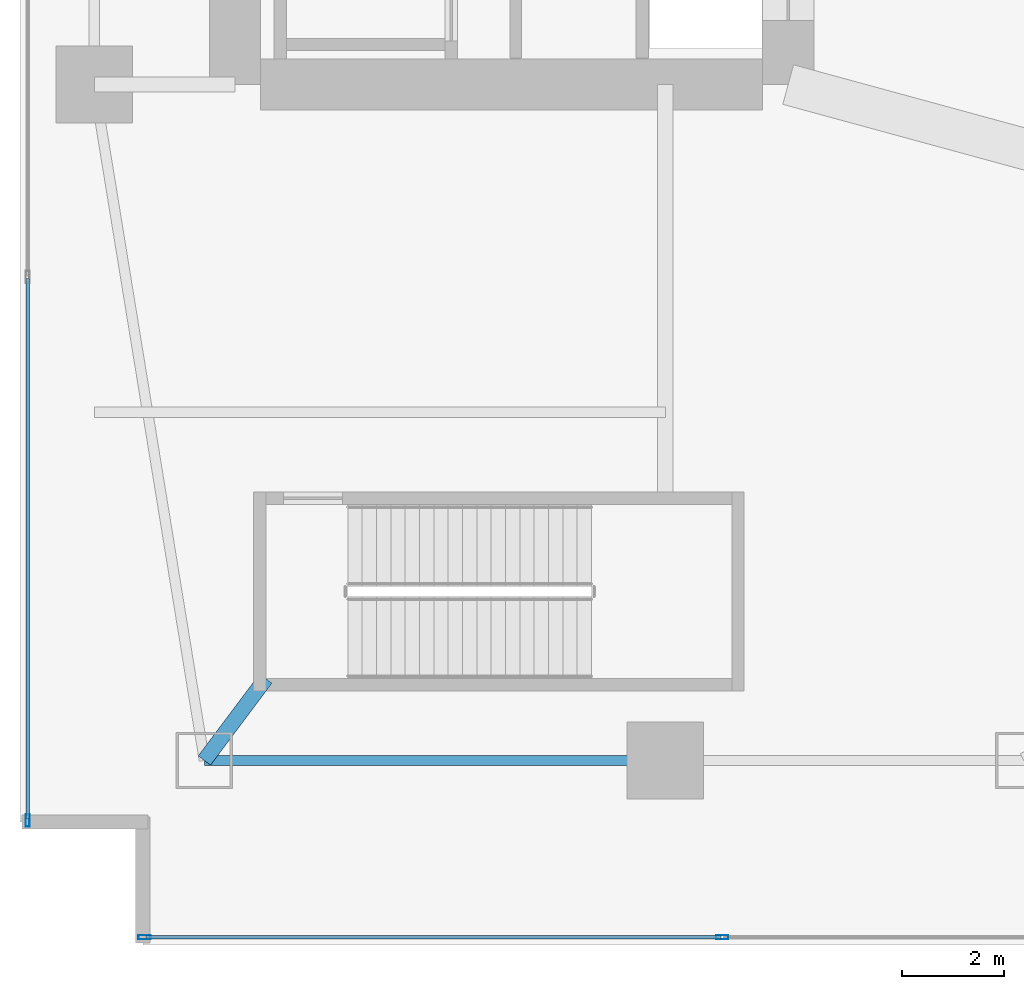
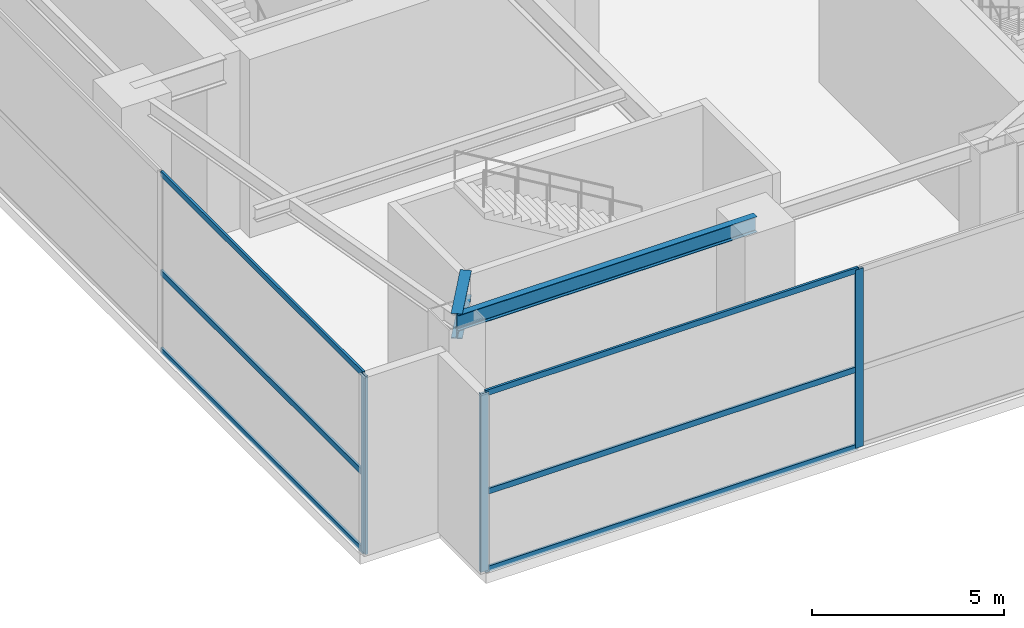
# One storey, part 4 of 35: 9 members, 2 beams, 2 elements without a shape of their own.
"""IFC4 building model written with IfcOpenShell, lengths in metres."""

import ifcopenshell
import ifcopenshell.guid

model = None  # the IFC model being written
_history = None  # IfcOwnerHistory: only IFC2X3 demands one
_inside = {}  # id of a spatial element -> (the spatial element, [elements in it])
_under = {}  # id of a project, library or spatial element -> (it, [spatial elements below it])
_declared = {}  # id of a project -> (the project, [libraries it declares])
_typed = {}  # id of a type object -> (the type object, [elements of that type])
_made_of = {}  # id of a material, layer set ... -> (it, [elements and type objects made of it])


def new_model(schema):
    """Start an empty IFC model of exactly this schema.

    Asked for "IFC4X3", IfcOpenShell would pick the latest addendum, in which some entities
    have other attributes; the version numbers below select the first issue.
    IFC2X3 requires an IfcOwnerHistory on every rooted entity: one is made here for all.
    """
    global model, _history
    if schema == "IFC4X3":
        model = ifcopenshell.file(schema_version=(4, 3, 0, 0))
    else:
        model = ifcopenshell.file(schema=schema)
    _inside.clear()
    _under.clear()
    _declared.clear()
    _typed.clear()
    _made_of.clear()
    _history = None
    if model.schema == "IFC2X3":
        org = make("IfcOrganization", Name="unknown")
        user = make(
            "IfcPersonAndOrganization",
            ThePerson=make("IfcPerson", FamilyName="unknown"),
            TheOrganization=org,
        )
        app = make(
            "IfcApplication",
            ApplicationDeveloper=org,
            Version="unknown",
            ApplicationFullName="unknown",
            ApplicationIdentifier="unknown",
        )
        _history = make(
            "IfcOwnerHistory",
            OwningUser=user,
            OwningApplication=app,
            ChangeAction="ADDED",
            CreationDate=0,
        )
    return model


def make(cls, **values):
    """One entity of the class cls with the attributes given. An attribute that is None is left unset."""
    return model.create_entity(
        cls, **{name: value for name, value in values.items() if value is not None}
    )


def rooted(cls, **values):
    """An entity with a GlobalId (a new one), such as an element, a storey or a relation."""
    return make(cls, GlobalId=ifcopenshell.guid.new(), OwnerHistory=_history, **values)


def si_unit(unit_type, name, prefix=None):
    """IfcSIUnit, for example si_unit("LENGTHUNIT", "METRE", prefix="MILLI")."""
    return make("IfcSIUnit", UnitType=unit_type, Prefix=prefix, Name=name)


def assignment(units):
    """IfcUnitAssignment: the units of a project."""
    return None if units is None else make("IfcUnitAssignment", Units=units)


def point(xyz):
    """IfcCartesianPoint."""
    return None if xyz is None else make("IfcCartesianPoint", Coordinates=xyz)


def direction(xyz):
    """IfcDirection."""
    return None if xyz is None else make("IfcDirection", DirectionRatios=xyz)


def frame(location, z_axis=None, x_axis=None):
    """IfcAxis2Placement3D, a coordinate frame: its origin and axes. An axis left out is left unset."""
    return make(
        "IfcAxis2Placement3D",
        Location=point(location),
        Axis=direction(z_axis),
        RefDirection=direction(x_axis),
    )


def frame_2d(location, x_axis=None):
    """IfcAxis2Placement2D, a coordinate frame in the plane: its origin and x axis."""
    return make(
        "IfcAxis2Placement2D", Location=point(location), RefDirection=direction(x_axis)
    )


def origin():
    """The frame at (0, 0, 0) with its axes left unset."""
    return frame((0.0, 0.0, 0.0))


def origin_2d():
    """The frame at (0, 0) in the plane with its x axis left unset."""
    return frame_2d((0.0, 0.0))


def place(relative_to, where):
    """IfcLocalPlacement: puts the frame where relative to a parent placement (None: the world)."""
    return make(
        "IfcLocalPlacement", PlacementRelTo=relative_to, RelativePlacement=where
    )


def context(
    kind, dimensions, precision=None, world=None, true_north=None, identifier=None
):
    """IfcGeometricRepresentationContext, for example the 3D "Model" context."""
    return make(
        "IfcGeometricRepresentationContext",
        ContextIdentifier=identifier,
        ContextType=kind,
        CoordinateSpaceDimension=dimensions,
        Precision=precision,
        WorldCoordinateSystem=world,
        TrueNorth=true_north,
    )


def subcontext(parent, identifier, kind, view, scale=None):
    """IfcGeometricRepresentationSubContext, for example "Body" below "Model"."""
    return make(
        "IfcGeometricRepresentationSubContext",
        ContextIdentifier=identifier,
        ContextType=kind,
        ParentContext=parent,
        TargetScale=scale,
        TargetView=view,
    )


def project(units=None, contexts=None):
    """IfcProject with its units and contexts."""
    return rooted(
        "IfcProject",
        Name="project",
        RepresentationContexts=contexts,
        UnitsInContext=assignment(units),
    )


def spatial(cls, under=None, at=None, **own):
    """A site, building, storey or space (cls), placed at a placement, below another one or the project."""
    s = rooted(cls, ObjectPlacement=at, **own)
    if under is not None:
        _under.setdefault(under.id(), (under, []))[1].append(s)
    return s


def profile(cls, at=None, kind="AREA", **sizes):
    """A parametric profile (cls). Its sizes go by their IFC names, for example OverallWidth=200.0."""
    return make(cls, ProfileType=kind, Position=at, **sizes)


def hollow_rectangle(**sizes):
    """IfcRectangleHollowProfileDef."""
    return profile("IfcRectangleHollowProfileDef", **sizes)


def i_section(**sizes):
    """IfcIShapeProfileDef."""
    return profile("IfcIShapeProfileDef", **sizes)


def extrude(swept, where, along, depth):
    """IfcExtrudedAreaSolid: the profile swept, set in the frame where, extruded along a direction by depth."""
    return make(
        "IfcExtrudedAreaSolid",
        SweptArea=swept,
        Position=where,
        ExtrudedDirection=direction(along),
        Depth=depth,
    )


def shape(context_of_items, identifier, shape_type, items):
    """IfcShapeRepresentation: the items that make up one representation, for example the "Body"."""
    return make(
        "IfcShapeRepresentation",
        ContextOfItems=context_of_items,
        RepresentationIdentifier=identifier,
        RepresentationType=shape_type,
        Items=items,
    )


def material(Name=None, Category=None):
    """IfcMaterial."""
    return make("IfcMaterial", Name=Name, Category=Category)


def layer(
    of_material, thickness, ventilated=None, Name=None, Category=None, Priority=None
):
    """IfcMaterialLayer: one layer of a wall or slab, of a material (None: an air gap)."""
    return make(
        "IfcMaterialLayer",
        Material=of_material,
        LayerThickness=thickness,
        IsVentilated=ventilated,
        Name=Name,
        Category=Category,
        Priority=Priority,
    )


def layer_set(layers, Name=None):
    """IfcMaterialLayerSet."""
    return make("IfcMaterialLayerSet", MaterialLayers=layers, LayerSetName=Name)


def material_profile(
    of_material, cross_section, Name=None, Category=None, Priority=None
):
    """IfcMaterialProfile: a cross section and its material."""
    return make(
        "IfcMaterialProfile",
        Name=Name,
        Material=of_material,
        Profile=cross_section,
        Priority=Priority,
        Category=Category,
    )


def profile_set(profiles, Name=None, composite=None):
    """IfcMaterialProfileSet."""
    return make(
        "IfcMaterialProfileSet",
        Name=Name,
        MaterialProfiles=profiles,
        CompositeProfile=composite,
    )


def made_of(thing, what):
    """Note that an element or type object is made of a material, layer set ...; save() writes the relation."""
    if what is not None:
        _made_of.setdefault(what.id(), (what, []))[1].append(thing)
    return thing


def type_object(cls, material=None, **own):
    """A type object (cls), such as IfcWallType, which elements share."""
    return made_of(rooted(cls, **own), material)


def element(
    cls,
    number,
    at=None,
    inside=None,
    cuts=None,
    type_object=None,
    material=None,
    context=None,
    identifier="Body",
    shape_type=None,
    held_by="IfcProductDefinitionShape",
    body=None,
    shapes=None,
    **own,
):
    """One element of the class cls, such as IfcWall. Its Tag is "e" and its number.

    at: its placement. inside: the storey or other place that contains it. cuts: it is an
    opening in that element (IfcRelVoidsElement). A single representation is given by context,
    identifier, shape_type and body (its items); several are given by shapes. held_by: the class
    of the entity that holds the representations. save() writes the other relations.
    """
    e = rooted(cls, Tag="e%d" % number, ObjectPlacement=at, **own)
    if body is not None:
        shapes = [shape(context, identifier, shape_type, body)]
    if shapes is not None:
        e.Representation = make(held_by, Representations=shapes)
    if inside is not None:
        _inside.setdefault(inside.id(), (inside, []))[1].append(e)
    if cuts is not None:
        rooted(
            "IfcRelVoidsElement", RelatingBuildingElement=cuts, RelatedOpeningElement=e
        )
    if type_object is not None:
        _typed.setdefault(type_object.id(), (type_object, []))[1].append(e)
    return made_of(e, material)


def aggregate(whole, parts):
    """IfcRelAggregates: a whole, such as a stair, and the parts it consists of."""
    return rooted("IfcRelAggregates", RelatingObject=whole, RelatedObjects=parts)


def save(model, path):
    """Write the relations noted so far, then the file.

    IfcRelAggregates (storeys below a building ...), IfcRelContainedInSpatialStructure (elements
    in a storey), IfcRelDefinesByType, IfcRelAssociatesMaterial and IfcRelDeclares: one each for
    every whole, place, type object, material and project.
    """
    for whole, parts in _under.values():
        aggregate(whole, parts)
    for where, things in _inside.values():
        rooted(
            "IfcRelContainedInSpatialStructure",
            RelatedElements=things,
            RelatingStructure=where,
        )
    for kind, things in _typed.values():
        rooted("IfcRelDefinesByType", RelatedObjects=things, RelatingType=kind)
    for what, things in _made_of.values():
        rooted("IfcRelAssociatesMaterial", RelatedObjects=things, RelatingMaterial=what)
    for by, libraries in _declared.values():
        rooted("IfcRelDeclares", RelatingContext=by, RelatedDefinitions=libraries)
    model.write(path)


model = new_model("IFC4")

# Units and contexts
model_context = context("Model", 3, precision=1e-05, world=origin(), true_north=direction((0.0, 1.0)))
body_context = subcontext(model_context, "Body", "Model", "MODEL_VIEW")
ifc_project = project(units=[si_unit("LENGTHUNIT", "METRE"), si_unit("AREAUNIT", "SQUARE_METRE"), si_unit("VOLUMEUNIT", "CUBIC_METRE"), si_unit("PLANEANGLEUNIT", "RADIAN"), si_unit("MASSUNIT", "GRAM", prefix="KILO")], contexts=[model_context])

# Site, building, storey
site_placement = place(None, origin())
site = spatial("IfcSite", under=ifc_project, at=site_placement, CompositionType="ELEMENT")
building_placement = place(site_placement, origin())
building = spatial("IfcBuilding", under=site, at=building_placement, Name="Calvorn Quay Hotel", CompositionType="ELEMENT")
storey_placement = place(building_placement, frame((0.0, 0.0, 6.0)))
storey = spatial("IfcBuildingStorey", under=building, at=storey_placement, Name="L01", CompositionType="ELEMENT", Elevation=6.0)

# Beams
ifc_material_1 = material(Name="Steel Q390GJC", Category="steel")
ifc_material_profile_1 = material_profile(ifc_material_1, i_section(OverallWidth=0.300048828125, OverallDepth=0.800048828125, WebThickness=0.013916015625, FlangeThickness=0.02587890625, FilletRadius=0.02392578125, at=origin_2d()), Name="HN800x300x14x26")
ifc_profile_set_1 = profile_set([ifc_material_profile_1], Name="Steel Q390GJC")
beam_type_1 = type_object("IfcBeamType", Name="BM-GIRD-POD", PredefinedType="BEAM", material=ifc_profile_set_1)
beam_1_placement = place(storey_placement, frame((3.60009765625, 3.60009765625, 5.280029296875), z_axis=(0.600019532502, 0.799985350251, 0.0), x_axis=(-0.799985350251, 0.600019532502, 0.0)))
element("IfcBeam", 1, at=beam_1_placement, inside=storey, type_object=beam_type_1, Name="Beam BG-L01-W0", PredefinedType="BEAM", context=body_context, shape_type="SweptSolid", body=[
    extrude(i_section(OverallWidth=0.300048828125, OverallDepth=0.800048828125, WebThickness=0.013916015625, FlangeThickness=0.02587890625, FilletRadius=0.02392578125, at=origin_2d()), origin(), (0.0, 0.0, 1.0), 1.999755859375),
])
ifc_material_2 = material(Name="Steel Q355B", Category="steel")
ifc_material_profile_2 = material_profile(ifc_material_2, i_section(OverallWidth=0.199951171875, OverallDepth=0.5, WebThickness=0.010009765625, FlangeThickness=0.01611328125, FilletRadius=0.01611328125, at=origin_2d()), Name="HN500x200x10x16")
ifc_profile_set_2 = profile_set([ifc_material_profile_2], Name="Steel Q355B")
beam_type_2 = type_object("IfcBeamType", Name="BM-SPANDREL-Z1", PredefinedType="SPANDREL", material=ifc_profile_set_2)
beam_2_placement = place(storey_placement, frame((3.60009765625, 3.60009765625, 5.429931640625), z_axis=(1.0, 0.0, 0.0), x_axis=(0.0, 1.0, 0.0)))
element("IfcBeam", 2, at=beam_2_placement, inside=storey, type_object=beam_type_2, Name="Beam BSP-L01-S1", PredefinedType="SPANDREL", context=body_context, shape_type="SweptSolid", body=[
    extrude(i_section(OverallWidth=0.199951171875, OverallDepth=0.5, WebThickness=0.010009765625, FlangeThickness=0.01611328125, FilletRadius=0.01611328125, at=origin_2d()), origin(), (0.0, 0.0, 1.0), 9.0),
])

# Curtain wall, members
ifc_material_3 = material(Name="Pale Anodised Aluminium and Low-E Glass", Category="aluminium")
ifc_layer = layer(ifc_material_3, 0.219970703125)
ifc_layer_set = layer_set([ifc_layer], Name="CW-SYS-POD")
curtain_wall_type = type_object("IfcCurtainWallType", Name="CW-SYS-POD", PredefinedType="NOTDEFINED", material=ifc_layer_set)
curtain_wall_1_placement = place(storey_placement, origin())
curtain_wall_1 = element("IfcCurtainWall", 3, at=curtain_wall_1_placement, inside=storey, type_object=curtain_wall_type, Name="Podium Curtain Wall L01-S1", PredefinedType="NOTDEFINED")
ifc_material_4 = material(Name="Pale Anodised Aluminium 6063-T6", Category="aluminium")
ifc_material_profile_3 = material_profile(ifc_material_4, hollow_rectangle(XDim=0.080078125, YDim=0.239990234375, WallThickness=0.0048828125, at=origin_2d()), Name="ALU-M240x80x5")
ifc_profile_set_3 = profile_set([ifc_material_profile_3], Name="Pale Anodised Aluminium 6063-T6")
member_type_1 = type_object("IfcMemberType", Name="CW-SYS-POD-MUL", PredefinedType="MULLION", material=ifc_profile_set_3)
member_1_placement = place(storey_placement, frame((2.429931640625, 0.14990234375, 0.0), z_axis=(0.0, 0.0, 1.0), x_axis=(0.0, 1.0, 0.0)))
member_1 = element("IfcMember", 4, at=member_1_placement, type_object=member_type_1, Name="CW-L01-S1 mullion 1", PredefinedType="MULLION", context=body_context, shape_type="SweptSolid", body=[
    extrude(hollow_rectangle(XDim=0.080078125, YDim=0.239990234375, WallThickness=0.0048828125, at=origin_2d()), origin(), (0.0, 0.0, 1.0), 5.679931640625),
])
member_2_placement = place(storey_placement, frame((13.71435546875, 0.14990234375, 0.0), z_axis=(0.0, 0.0, 1.0), x_axis=(0.0, 1.0, 0.0)))
member_2 = element("IfcMember", 5, at=member_2_placement, type_object=member_type_1, Name="CW-L01-S1 mullion 2", PredefinedType="MULLION", context=body_context, shape_type="SweptSolid", body=[
    extrude(hollow_rectangle(XDim=0.080078125, YDim=0.239990234375, WallThickness=0.0048828125, at=origin_2d()), origin(), (0.0, 0.0, 1.0), 5.679931640625),
])

# Curtain wall, member
curtain_wall_2_placement = place(storey_placement, origin())
curtain_wall_2 = element("IfcCurtainWall", 6, at=curtain_wall_2_placement, inside=storey, type_object=curtain_wall_type, Name="Podium Curtain Wall L01-W1", PredefinedType="NOTDEFINED")
member_3_placement = place(storey_placement, frame((0.14990234375, 2.429931640625, 0.0), z_axis=(0.0, 0.0, 1.0), x_axis=(-1.0, 0.0, 0.0)))
member_3 = element("IfcMember", 7, at=member_3_placement, type_object=member_type_1, Name="CW-L01-W1 mullion 1", PredefinedType="MULLION", context=body_context, shape_type="SweptSolid", body=[
    extrude(hollow_rectangle(XDim=0.080078125, YDim=0.239990234375, WallThickness=0.0048828125, at=origin_2d()), origin(), (0.0, 0.0, 1.0), 5.679931640625),
])

# Member
ifc_material_5 = material(Name="Pale Anodised Aluminium 6063-T6", Category="aluminium")
ifc_material_profile_4 = material_profile(ifc_material_5, hollow_rectangle(XDim=0.070068359375, YDim=0.179931640625, WallThickness=0.00390625, at=origin_2d()), Name="ALU-T180x70x4")
ifc_profile_set_4 = profile_set([ifc_material_profile_4], Name="Pale Anodised Aluminium 6063-T6")
member_type_2 = type_object("IfcMemberType", Name="CW-SYS-POD-TRN", PredefinedType="USERDEFINED", material=ifc_profile_set_4)
member_4_placement = place(storey_placement, frame((2.4599609375, 0.14990234375, 0.030029296875), z_axis=(1.0, 0.0, 0.0), x_axis=(0.0, 1.0, 0.0)))
member_4 = element("IfcMember", 8, at=member_4_placement, type_object=member_type_2, Name="CW-L01-S1 transom 1.1", ObjectType="TRANSOM", PredefinedType="USERDEFINED", context=body_context, shape_type="SweptSolid", body=[
    extrude(hollow_rectangle(XDim=0.070068359375, YDim=0.179931640625, WallThickness=0.00390625, at=origin_2d()), origin(), (0.0, 0.0, 1.0), 11.224365234375),
])

member_5_placement = place(storey_placement, frame((2.4599609375, 0.14990234375, 2.5), z_axis=(1.0, 0.0, 0.0), x_axis=(0.0, 1.0, 0.0)))
member_5 = element("IfcMember", 9, at=member_5_placement, type_object=member_type_2, Name="CW-L01-S1 transom 1.2", ObjectType="TRANSOM", PredefinedType="USERDEFINED", context=body_context, shape_type="SweptSolid", body=[
    extrude(hollow_rectangle(XDim=0.070068359375, YDim=0.179931640625, WallThickness=0.00390625, at=origin_2d()), origin(), (0.0, 0.0, 1.0), 11.224365234375),
])

member_6_placement = place(storey_placement, frame((2.4599609375, 0.14990234375, 5.64990234375), z_axis=(1.0, 0.0, 0.0), x_axis=(0.0, 1.0, 0.0)))
member_6 = element("IfcMember", 10, at=member_6_placement, type_object=member_type_2, Name="CW-L01-S1 transom 1.3", ObjectType="TRANSOM", PredefinedType="USERDEFINED", context=body_context, shape_type="SweptSolid", body=[
    extrude(hollow_rectangle(XDim=0.070068359375, YDim=0.179931640625, WallThickness=0.00390625, at=origin_2d()), origin(), (0.0, 0.0, 1.0), 11.224365234375),
])

aggregate(curtain_wall_1, [member_1, member_2, member_4, member_5, member_6])

member_7_placement = place(storey_placement, frame((0.14990234375, 2.4599609375, 0.030029296875), z_axis=(0.0, 1.0, 0.0), x_axis=(-1.0, 0.0, 0.0)))
member_7 = element("IfcMember", 11, at=member_7_placement, type_object=member_type_2, Name="CW-L01-W1 transom 1.1", ObjectType="TRANSOM", PredefinedType="USERDEFINED", context=body_context, shape_type="SweptSolid", body=[
    extrude(hollow_rectangle(XDim=0.070068359375, YDim=0.179931640625, WallThickness=0.00390625, at=origin_2d()), origin(), (0.0, 0.0, 1.0), 10.550048828125),
])

member_8_placement = place(storey_placement, frame((0.14990234375, 2.4599609375, 2.5), z_axis=(0.0, 1.0, 0.0), x_axis=(-1.0, 0.0, 0.0)))
member_8 = element("IfcMember", 12, at=member_8_placement, type_object=member_type_2, Name="CW-L01-W1 transom 1.2", ObjectType="TRANSOM", PredefinedType="USERDEFINED", context=body_context, shape_type="SweptSolid", body=[
    extrude(hollow_rectangle(XDim=0.070068359375, YDim=0.179931640625, WallThickness=0.00390625, at=origin_2d()), origin(), (0.0, 0.0, 1.0), 10.550048828125),
])

member_9_placement = place(storey_placement, frame((0.14990234375, 2.4599609375, 5.64990234375), z_axis=(0.0, 1.0, 0.0), x_axis=(-1.0, 0.0, 0.0)))
member_9 = element("IfcMember", 13, at=member_9_placement, type_object=member_type_2, Name="CW-L01-W1 transom 1.3", ObjectType="TRANSOM", PredefinedType="USERDEFINED", context=body_context, shape_type="SweptSolid", body=[
    extrude(hollow_rectangle(XDim=0.070068359375, YDim=0.179931640625, WallThickness=0.00390625, at=origin_2d()), origin(), (0.0, 0.0, 1.0), 10.550048828125),
])

aggregate(curtain_wall_2, [member_3, member_7, member_8, member_9])

save(model, "model.ifc")
